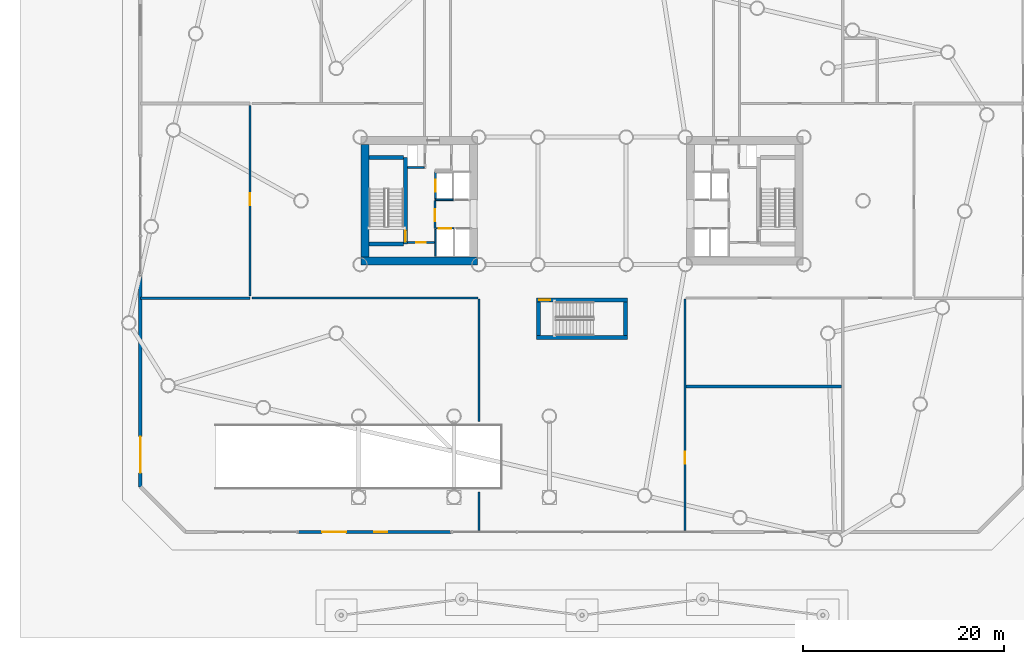
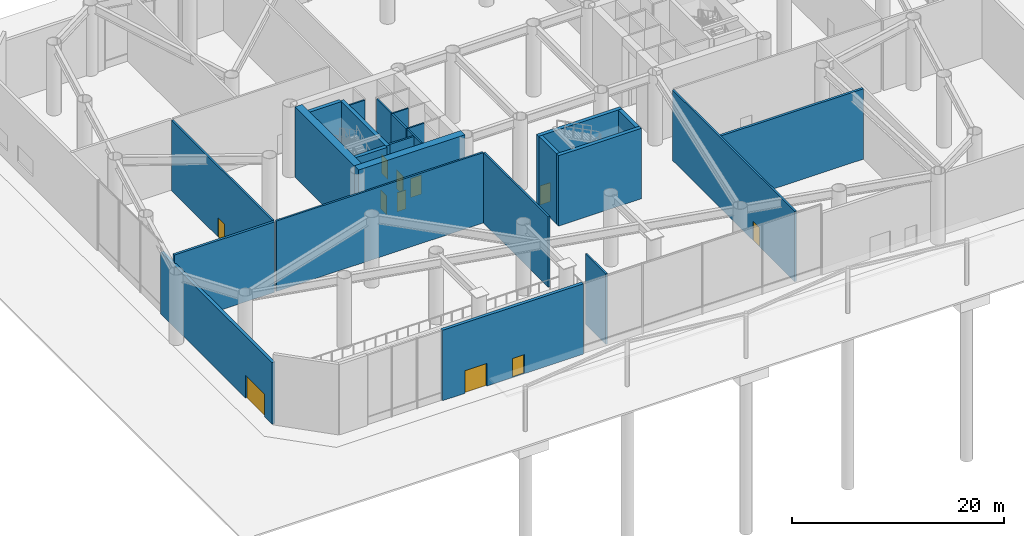
# One storey, part 20 of 28: 25 walls, 11 doors, 11 openings.
"""IFC4 building model written with IfcOpenShell, lengths in metres."""

from ifc_helpers import new_model, si_unit, direction, frame, frame_2d, origin, place, context, subcontext, project, spatial, rectangle, extrude, material, layer, layer_set, type_object, element, fill, save


model = new_model("IFC4")

# Units and contexts
model_context = context("Model", 3, precision=1e-05, world=origin(), true_north=direction((0.0, 1.0)))
body_context = subcontext(model_context, "Body", "Model", "MODEL_VIEW")
ifc_project = project(units=[si_unit("LENGTHUNIT", "METRE"), si_unit("AREAUNIT", "SQUARE_METRE"), si_unit("VOLUMEUNIT", "CUBIC_METRE"), si_unit("PLANEANGLEUNIT", "RADIAN"), si_unit("MASSUNIT", "GRAM", prefix="KILO")], contexts=[model_context])

# Site, building, storey
site_placement = place(None, origin())
site = spatial("IfcSite", under=ifc_project, at=site_placement, CompositionType="ELEMENT")
building_placement = place(site_placement, origin())
building = spatial("IfcBuilding", under=site, at=building_placement, Name="Tavrogorsk Clinical Tower", CompositionType="ELEMENT")
storey_placement = place(building_placement, origin())
storey = spatial("IfcBuildingStorey", under=building, at=storey_placement, Name="L00", CompositionType="ELEMENT", Elevation=0.0)

# Wall, opening, door
ifc_material_1 = material(Name="Concrete B60", Category="concrete")
ifc_layer_1 = layer(ifc_material_1, 0.199951171875)
ifc_layer_set_1 = layer_set([ifc_layer_1], Name="Concrete B60")
wall_type_1 = type_object("IfcWallType", Name="CoreFireWall_200", PredefinedType="SOLIDWALL", material=ifc_layer_set_1)
wall_1_placement = place(storey_placement, frame((-17.3798828125, -4.139892578125, 0.0), z_axis=(0.0, 0.0, 1.0), x_axis=(1.0, 0.0, 0.0)))
wall_1 = element("IfcWall", 1, at=wall_1_placement, inside=storey, type_object=wall_type_1, Name="L00 Core West South Core Room Fire Wall", PredefinedType="SOLIDWALL", context=body_context, shape_type="SweptSolid", body=[
    extrude(rectangle(XDim=2.659912109375, YDim=0.199951171875, at=frame_2d((1.330078125, 0.0))), origin(), (0.0, 0.0, 1.0), 8.10009765625),
])
opening_1_placement = place(wall_1_placement, frame((0.8798828125, 0.0, 0.0)))
opening_1 = element("IfcOpeningElement", 2, at=opening_1_placement, cuts=wall_1, Name="Opening ID-02", PredefinedType="OPENING", context=body_context, shape_type="SweptSolid", body=[
    extrude(rectangle(XDim=0.949951171875, YDim=2.199951171875, at=frame_2d((0.47509765625, 1.10009765625))), frame((0.0, 0.10986328125, 0.0), z_axis=(0.0, -1.0, 0.0), x_axis=(1.0, 0.0, 0.0)), (0.0, 0.0, 1.0), 0.219970703125),
])
ifc_material_2 = material(Name="Laminated timber leaf on aluminium frame", Category="wood")
door_type_1 = type_object("IfcDoorType", Name="InteriorDoor_ID02_950", OperationType="NOTDEFINED", PredefinedType="DOOR", material=ifc_material_2)
door_1_placement = place(opening_1_placement, origin())
door_1 = element("IfcDoor", 3, at=door_1_placement, inside=storey, type_object=door_type_1, Name="L00 Core West South Core Room Door", OperationType="SINGLE_SWING_RIGHT", OverallHeight=2.199951171875, OverallWidth=0.949951171875, PredefinedType="DOOR", context=body_context, shape_type="SweptSolid", body=[
    extrude(rectangle(XDim=0.949951171875, YDim=2.199951171875, at=frame_2d((0.47509765625, 1.10009765625))), frame((0.0, 0.02490234375, 0.0), z_axis=(0.0, -1.0, 0.0), x_axis=(1.0, 0.0, 0.0)), (0.0, 0.0, 1.0), 0.050048828125),
])
fill(opening_1, door_1)

wall_2_placement = place(storey_placement, frame((-14.639892578125, -2.780029296875, 0.0), z_axis=(0.0, 0.0, 1.0), x_axis=(0.0, 1.0, 0.0)))
wall_2 = element("IfcWall", 4, at=wall_2_placement, inside=storey, type_object=wall_type_1, Name="L00 Core West Firefighting Lobby Fire Wall", PredefinedType="SOLIDWALL", context=body_context, shape_type="SweptSolid", body=[
    extrude(rectangle(XDim=2.820068359375, YDim=0.199951171875, at=frame_2d((1.41015625, 0.0))), origin(), (0.0, 0.0, 1.0), 8.10009765625),
])
opening_2_placement = place(wall_2_placement, frame((0.72998046875, 0.0, 0.0)))
opening_2 = element("IfcOpeningElement", 5, at=opening_2_placement, cuts=wall_2, Name="Opening FD-01", PredefinedType="OPENING", context=body_context, shape_type="SweptSolid", body=[
    extrude(rectangle(XDim=1.199951171875, YDim=2.199951171875, at=frame_2d((0.60009765625, 1.10009765625))), frame((0.0, 0.10986328125, 0.0), z_axis=(0.0, -1.0, 0.0), x_axis=(1.0, 0.0, 0.0)), (0.0, 0.0, 1.0), 0.219970703125),
])
ifc_material_3 = material(Name="Galvanised steel fire-rated door assembly", Category="steel")
door_type_2 = type_object("IfcDoorType", Name="FireDoor_FD01_1200", OperationType="NOTDEFINED", PredefinedType="DOOR", material=ifc_material_3)
door_2_placement = place(opening_2_placement, origin())
door_2 = element("IfcDoor", 6, at=door_2_placement, inside=storey, type_object=door_type_2, Name="L00 Core West Firefighting Lobby Entry Door", OperationType="SINGLE_SWING_RIGHT", OverallHeight=2.199951171875, OverallWidth=1.199951171875, PredefinedType="DOOR", context=body_context, shape_type="SweptSolid", body=[
    extrude(rectangle(XDim=1.199951171875, YDim=2.199951171875, at=frame_2d((0.60009765625, 1.10009765625))), frame((0.0, 0.02490234375, 0.0), z_axis=(0.0, -1.0, 0.0), x_axis=(1.0, 0.0, 0.0)), (0.0, 0.0, 1.0), 0.050048828125),
])
fill(opening_2, door_2)

# Walls
wall_3_placement = place(storey_placement, frame((-10.280029296875, -22.0, 0.0), z_axis=(0.0, 0.0, 1.0), x_axis=(0.0, 1.0, 0.0)))
element("IfcWall", 7, at=wall_3_placement, inside=storey, type_object=wall_type_1, Name="L00 Concourse Fire Wall 01", PredefinedType="SOLIDWALL", context=body_context, shape_type="SweptSolid", body=[
    extrude(rectangle(XDim=12.195068359375, YDim=0.199951171875, at=frame_2d((6.09765625, 0.0))), origin(), (0.0, 0.0, 1.0), 8.10009765625),
])
wall_4_placement = place(storey_placement, frame((-10.385009765625, -9.699951171875, 0.0), z_axis=(0.0, 0.0, 1.0), x_axis=(-1.0, 0.0, 0.0)))
element("IfcWall", 8, at=wall_4_placement, inside=storey, type_object=wall_type_1, Name="L00 Concourse Fire Wall 02", PredefinedType="SOLIDWALL", context=body_context, shape_type="SweptSolid", body=[
    extrude(rectangle(XDim=22.510009765625, YDim=0.199951171875, at=frame_2d((11.2548828125, 0.0))), origin(), (0.0, 0.0, 1.0), 8.10009765625),
])

# Wall, opening, door
wall_5_placement = place(storey_placement, frame((-33.080078125, -9.485107421875, 0.0), z_axis=(0.0, 0.0, 1.0), x_axis=(0.0, 1.0, 0.0)))
wall_5 = element("IfcWall", 9, at=wall_5_placement, inside=storey, type_object=wall_type_1, Name="L00 Concourse Fire Wall 03", PredefinedType="SOLIDWALL", context=body_context, shape_type="SweptSolid", body=[
    extrude(rectangle(XDim=18.97021484375, YDim=0.199951171875, at=frame_2d((9.485107421875, 0.0))), origin(), (0.0, 0.0, 1.0), 8.10009765625),
])
opening_3_placement = place(wall_5_placement, frame((9.02001953125, 0.0, 0.0)))
opening_3 = element("IfcOpeningElement", 10, at=opening_3_placement, cuts=wall_5, Name="Opening FD-01", PredefinedType="OPENING", context=body_context, shape_type="SweptSolid", body=[
    extrude(rectangle(XDim=1.199951171875, YDim=2.199951171875, at=frame_2d((0.60009765625, 1.10009765625))), frame((0.0, 0.10986328125, 0.0), z_axis=(0.0, -1.0, 0.0), x_axis=(1.0, 0.0, 0.0)), (0.0, 0.0, 1.0), 0.219970703125),
])
door_3_placement = place(opening_3_placement, origin())
door_3 = element("IfcDoor", 11, at=door_3_placement, inside=storey, type_object=door_type_2, Name="L00 Security Screening & Baggage Deposit Entry Door", OperationType="SINGLE_SWING_LEFT", OverallHeight=2.199951171875, OverallWidth=1.199951171875, PredefinedType="DOOR", context=body_context, shape_type="SweptSolid", body=[
    extrude(rectangle(XDim=1.199951171875, YDim=2.199951171875, at=frame_2d((0.60009765625, 1.10009765625))), frame((0.0, 0.02490234375, 0.0), z_axis=(0.0, -1.0, 0.0), x_axis=(1.0, 0.0, 0.0)), (0.0, 0.0, 1.0), 0.050048828125),
])
fill(opening_3, door_3)

wall_6_placement = place(storey_placement, frame((10.280029296875, -9.804931640625, 0.0), z_axis=(0.0, 0.0, 1.0), x_axis=(0.0, -1.0, 0.0)))
wall_6 = element("IfcWall", 12, at=wall_6_placement, inside=storey, type_object=wall_type_1, Name="L00 Concourse Fire Wall 08", PredefinedType="SOLIDWALL", context=body_context, shape_type="SweptSolid", body=[
    extrude(rectangle(XDim=23.03515625, YDim=0.199951171875, at=frame_2d((11.517578125, 0.0))), origin(), (0.0, 0.0, 1.0), 8.10009765625),
])
opening_4_placement = place(wall_6_placement, frame((15.189453125, 0.0, 0.0)))
opening_4 = element("IfcOpeningElement", 13, at=opening_4_placement, cuts=wall_6, Name="Opening FD-01", PredefinedType="OPENING", context=body_context, shape_type="SweptSolid", body=[
    extrude(rectangle(XDim=1.199951171875, YDim=2.199951171875, at=frame_2d((0.60009765625, 1.10009765625))), frame((0.0, 0.10986328125, 0.0), z_axis=(0.0, -1.0, 0.0), x_axis=(1.0, 0.0, 0.0)), (0.0, 0.0, 1.0), 0.219970703125),
])
door_4_placement = place(opening_4_placement, origin())
door_4 = element("IfcDoor", 14, at=door_4_placement, inside=storey, type_object=door_type_2, Name="L00 Outpatient Retail Pharmacy & Waiting Entry Door", OperationType="SINGLE_SWING_LEFT", OverallHeight=2.199951171875, OverallWidth=1.199951171875, PredefinedType="DOOR", context=body_context, shape_type="SweptSolid", body=[
    extrude(rectangle(XDim=1.199951171875, YDim=2.199951171875, at=frame_2d((0.60009765625, 1.10009765625))), frame((0.0, 0.02490234375, 0.0), z_axis=(0.0, -1.0, 0.0), x_axis=(1.0, 0.0, 0.0)), (0.0, 0.0, 1.0), 0.050048828125),
])
fill(opening_4, door_4)

# Wall
wall_7_placement = place(storey_placement, frame((-10.280029296875, -32.840087890625, 0.0), z_axis=(0.0, 0.0, 1.0), x_axis=(0.0, 1.0, 0.0)))
element("IfcWall", 15, at=wall_7_placement, inside=storey, type_object=wall_type_1, Name="L00 Concourse Fire Wall 09", PredefinedType="SOLIDWALL", context=body_context, shape_type="SweptSolid", body=[
    extrude(rectangle(XDim=3.840087890625, YDim=0.199951171875, at=frame_2d((1.919921875, 0.0))), origin(), (0.0, 0.0, 1.0), 8.10009765625),
])

# Wall, openings, doors
ifc_material_4 = material(Name="Precast concrete B45 with limestone cladding", Category="masonry")
ifc_layer_2 = layer(ifc_material_4, 0.340087890625)
ifc_layer_set_2 = layer_set([ifc_layer_2], Name="Precast concrete B45 with limestone cladding")
wall_type_2 = type_object("IfcWallType", Name="PrecastLimestoneWall_340", PredefinedType="STANDARD", material=ifc_layer_set_2)
wall_8_placement = place(storey_placement, frame((-28.300048828125, -33.0, 0.0), z_axis=(0.0, 0.0, 1.0), x_axis=(1.0, 0.0, 0.0)))
wall_8 = element("IfcWall", 16, at=wall_8_placement, inside=storey, type_object=wall_type_2, Name="L00 Limestone Lobby Wall 1-2", PredefinedType="STANDARD", context=body_context, shape_type="SweptSolid", body=[
    extrude(rectangle(XDim=15.300048828125, YDim=0.340087890625, at=frame_2d((7.64990234375, 0.0))), origin(), (0.0, 0.0, 1.0), 8.10009765625),
])
opening_5_placement = place(wall_8_placement, frame((2.39990234375, 0.0, 0.0)))
opening_5 = element("IfcOpeningElement", 17, at=opening_5_placement, cuts=wall_8, Name="Opening ED-01", PredefinedType="OPENING", context=body_context, shape_type="SweptSolid", body=[
    extrude(rectangle(XDim=2.39990234375, YDim=2.60009765625, at=frame_2d((1.199951171875, 1.300048828125))), frame((0.0, 0.179931640625, 0.0), z_axis=(0.0, -1.0, 0.0), x_axis=(1.0, 0.0, 0.0)), (0.0, 0.0, 1.0), 0.360107421875),
])
opening_6_placement = place(wall_8_placement, frame((7.60009765625, 0.0, 0.0)))
opening_6 = element("IfcOpeningElement", 18, at=opening_6_placement, cuts=wall_8, Name="Opening ED-04", PredefinedType="OPENING", context=body_context, shape_type="SweptSolid", body=[
    extrude(rectangle(XDim=1.300048828125, YDim=2.199951171875, at=frame_2d((0.64990234375, 1.10009765625))), frame((0.0, 0.179931640625, 0.0), z_axis=(0.0, -1.0, 0.0), x_axis=(1.0, 0.0, 0.0)), (0.0, 0.0, 1.0), 0.360107421875),
])
ifc_material_5 = material(Name="Thermally broken aluminium and laminated safety glass", Category="aluminium")
door_type_3 = type_object("IfcDoorType", Name="GroundExitDoor_ED04_1300", OperationType="NOTDEFINED", PredefinedType="DOOR", material=ifc_material_5)
door_5_placement = place(opening_6_placement, origin())
door_5 = element("IfcDoor", 19, at=door_5_placement, inside=storey, type_object=door_type_3, Name="L00 South-West Final Exit Discharge Door", OperationType="SINGLE_SWING_LEFT", OverallHeight=2.199951171875, OverallWidth=1.300048828125, PredefinedType="DOOR", context=body_context, shape_type="SweptSolid", body=[
    extrude(rectangle(XDim=1.300048828125, YDim=2.199951171875, at=frame_2d((0.64990234375, 1.10009765625))), frame((0.0, 0.02490234375, 0.0), z_axis=(0.0, -1.0, 0.0), x_axis=(1.0, 0.0, 0.0)), (0.0, 0.0, 1.0), 0.050048828125),
])
fill(opening_6, door_5)
ifc_material_6 = material(Name="Thermally broken aluminium and laminated safety glass", Category="aluminium")
door_type_4 = type_object("IfcDoorType", Name="MainEntranceDoor_ED01_2400", OperationType="DOUBLE_SWING_LEFT", PredefinedType="DOOR", material=ifc_material_6)
door_6_placement = place(opening_5_placement, origin())
door_6 = element("IfcDoor", 20, at=door_6_placement, inside=storey, type_object=door_type_4, Name="L00 South-West Main Entrance Door", OperationType="DOUBLE_SWING_LEFT", OverallHeight=2.60009765625, OverallWidth=2.39990234375, PredefinedType="DOOR", context=body_context, shape_type="SweptSolid", body=[
    extrude(rectangle(XDim=2.39990234375, YDim=2.60009765625, at=frame_2d((1.199951171875, 1.300048828125))), frame((0.0, 0.02490234375, 0.0), z_axis=(0.0, -1.0, 0.0), x_axis=(1.0, 0.0, 0.0)), (0.0, 0.0, 1.0), 0.050048828125),
])
fill(opening_5, door_6)

# Wall, opening, door
wall_9_placement = place(storey_placement, frame((-44.0, -7.5, 0.0), z_axis=(0.0, 0.0, 1.0), x_axis=(0.0, -1.0, 0.0)))
wall_9 = element("IfcWall", 21, at=wall_9_placement, inside=storey, type_object=wall_type_2, Name="L00 Limestone Lobby Wall 7-2", PredefinedType="STANDARD", context=body_context, shape_type="SweptSolid", body=[
    extrude(rectangle(XDim=21.0, YDim=0.340087890625, at=frame_2d((10.5, 0.0))), origin(), (0.0, 0.0, 1.0), 7.094970703125),
])
opening_7_placement = place(wall_9_placement, frame((16.0, 0.0, 0.0)))
opening_7 = element("IfcOpeningElement", 22, at=opening_7_placement, cuts=wall_9, Name="Opening VD-01", PredefinedType="OPENING", context=body_context, shape_type="SweptSolid", body=[
    extrude(rectangle(XDim=3.60009765625, YDim=2.60009765625, at=frame_2d((1.800048828125, 1.300048828125))), frame((0.0, 0.179931640625, 0.0), z_axis=(0.0, -1.0, 0.0), x_axis=(1.0, 0.0, 0.0)), (0.0, 0.0, 1.0), 0.360107421875),
])
ifc_material_7 = material(Name="Insulated galvanised steel fire-rated roller shutter", Category="steel")
door_type_5 = type_object("IfcDoorType", Name="VehicleGateDoor_VD01_3600", OperationType="ROLLINGUP", PredefinedType="GATE", material=ifc_material_7)
door_7_placement = place(opening_7_placement, origin())
door_7 = element("IfcDoor", 23, at=door_7_placement, inside=storey, type_object=door_type_5, Name="L00 Vehicle Ramp Entrance Roller-Shutter Gate", OperationType="ROLLINGUP", OverallHeight=2.60009765625, OverallWidth=3.60009765625, PredefinedType="GATE", context=body_context, shape_type="SweptSolid", body=[
    extrude(rectangle(XDim=3.60009765625, YDim=2.60009765625, at=frame_2d((1.800048828125, 1.300048828125))), frame((0.0, 0.02490234375, 0.0), z_axis=(0.0, -1.0, 0.0), x_axis=(1.0, 0.0, 0.0)), (0.0, 0.0, 1.0), 0.050048828125),
])
fill(opening_7, door_7)

# Walls
ifc_material_8 = material(Name="Concrete B60 radiation-shielded wall", Category="concrete")
ifc_layer_3 = layer(ifc_material_8, 0.260009765625)
ifc_layer_set_3 = layer_set([ifc_layer_3], Name="Concrete B60 radiation-shielded wall")
wall_type_3 = type_object("IfcWallType", Name="RadiationLeadWall_260", PredefinedType="SOLIDWALL", material=ifc_layer_set_3)
wall_10_placement = place(storey_placement, frame((-44.0, -9.699951171875, 0.0), z_axis=(0.0, 0.0, 1.0), x_axis=(1.0, 0.0, 0.0)))
element("IfcWall", 24, at=wall_10_placement, inside=storey, type_object=wall_type_3, Name="L00 Ground Partition Wall 1", PredefinedType="SOLIDWALL", context=body_context, shape_type="SweptSolid", body=[
    extrude(rectangle(XDim=10.89501953125, YDim=0.260009765625, at=frame_2d((5.447509765625, 0.0))), origin(), (0.0, 0.0, 1.0), 8.10009765625),
])
wall_11_placement = place(storey_placement, frame((10.385009765625, -18.5, 0.0), z_axis=(0.0, 0.0, 1.0), x_axis=(1.0, 0.0, 0.0)))
element("IfcWall", 25, at=wall_11_placement, inside=storey, type_object=wall_type_3, Name="L00 Ground Partition Wall 5", PredefinedType="SOLIDWALL", context=body_context, shape_type="SweptSolid", body=[
    extrude(rectangle(XDim=15.47998046875, YDim=0.260009765625, at=frame_2d((7.739990234375, 0.0))), origin(), (0.0, 0.0, 1.0), 8.10009765625),
])

# Wall, opening, door
ifc_material_9 = material(Name="Lightweight concrete blockwork B25", Category="masonry")
ifc_layer_4 = layer(ifc_material_9, 0.159912109375)
ifc_layer_set_4 = layer_set([ifc_layer_4], Name="Lightweight concrete blockwork B25")
wall_type_4 = type_object("IfcWallType", Name="ShaftWall_160", PredefinedType="PARTITIONING", material=ifc_layer_set_4)
wall_12_placement = place(storey_placement, frame((-14.60009765625, 0.1201171875, 0.0), z_axis=(0.0, 0.0, 1.0), x_axis=(0.0, 1.0, 0.0)))
wall_12 = element("IfcWall", 26, at=wall_12_placement, inside=storey, type_object=wall_type_4, Name="L00 FFL-W Firefighting Lift Front Wall", PredefinedType="PARTITIONING", context=body_context, shape_type="SweptSolid", body=[
    extrude(rectangle(XDim=2.739990234375, YDim=0.159912109375, at=frame_2d((1.3701171875, 0.0))), origin(), (0.0, 0.0, 1.0), 8.10009765625),
])
opening_8_placement = place(wall_12_placement, frame((0.77001953125, 0.0, 0.0)))
opening_8 = element("IfcOpeningElement", 27, at=opening_8_placement, cuts=wall_12, Name="Opening LD", PredefinedType="OPENING", context=body_context, shape_type="SweptSolid", body=[
    extrude(rectangle(XDim=1.199951171875, YDim=2.199951171875, at=frame_2d((0.60009765625, 1.10009765625))), frame((0.0, 0.08984375, 0.0), z_axis=(0.0, -1.0, 0.0), x_axis=(1.0, 0.0, 0.0)), (0.0, 0.0, 1.0), 0.179931640625),
])
ifc_material_10 = material(Name="Brushed stainless steel AISI 304 sliding doors", Category="steel")
door_type_6 = type_object("IfcDoorType", Name="LiftLandingDoor_LD_1200", OperationType="SLIDING_TO_LEFT", PredefinedType="DOOR", material=ifc_material_10)
door_8_placement = place(opening_8_placement, origin())
door_8 = element("IfcDoor", 28, at=door_8_placement, inside=storey, type_object=door_type_6, Name="L00 FFL-W Sliding Lift Landing Door", OperationType="SLIDING_TO_LEFT", OverallHeight=2.199951171875, OverallWidth=1.199951171875, PredefinedType="DOOR", context=body_context, shape_type="SweptSolid", body=[
    extrude(rectangle(XDim=1.199951171875, YDim=2.199951171875, at=frame_2d((0.60009765625, 1.10009765625))), frame((0.0, 0.02490234375, 0.0), z_axis=(0.0, -1.0, 0.0), x_axis=(1.0, 0.0, 0.0)), (0.0, 0.0, 1.0), 0.050048828125),
])
fill(opening_8, door_8)

# Wall
wall_13_placement = place(storey_placement, frame((-14.60009765625, 0.10009765625, 0.0), z_axis=(0.0, 0.0, 1.0), x_axis=(1.0, 0.0, 0.0)))
element("IfcWall", 29, at=wall_13_placement, inside=storey, type_object=wall_type_4, Name="L00 FFL-W Shaft South Wall", PredefinedType="PARTITIONING", context=body_context, shape_type="SweptSolid", body=[
    extrude(rectangle(XDim=1.760009765625, YDim=0.159912109375, at=frame_2d((0.8798828125, 0.0))), origin(), (0.0, 0.0, 1.0), 8.10009765625),
])

# Wall, opening, door
wall_14_placement = place(storey_placement, frame((-14.530029296875, -2.75, 0.0), z_axis=(0.0, 0.0, 1.0), x_axis=(1.0, 0.0, 0.0)))
wall_14 = element("IfcWall", 30, at=wall_14_placement, inside=storey, type_object=wall_type_4, Name="L00 LP-L1 Lift Shaft Portal Wall", PredefinedType="PARTITIONING", context=body_context, shape_type="SweptSolid", body=[
    extrude(rectangle(XDim=1.760009765625, YDim=0.159912109375, at=frame_2d((0.8798828125, 0.0))), origin(), (0.0, 0.0, 1.0), 8.10009765625),
])
opening_9_placement = place(wall_14_placement, frame((0.280029296875, 0.0, 0.0)))
opening_9 = element("IfcOpeningElement", 31, at=opening_9_placement, cuts=wall_14, Name="Opening LD", PredefinedType="OPENING", context=body_context, shape_type="SweptSolid", body=[
    extrude(rectangle(XDim=1.199951171875, YDim=2.199951171875, at=frame_2d((0.60009765625, 1.10009765625))), frame((0.0, 0.08984375, 0.0), z_axis=(0.0, -1.0, 0.0), x_axis=(1.0, 0.0, 0.0)), (0.0, 0.0, 1.0), 0.179931640625),
])
door_9_placement = place(opening_9_placement, origin())
door_9 = element("IfcDoor", 32, at=door_9_placement, inside=storey, type_object=door_type_6, Name="L00 LP-L1 Sliding Lift Landing Door", OperationType="SLIDING_TO_LEFT", OverallHeight=2.199951171875, OverallWidth=1.199951171875, PredefinedType="DOOR", context=body_context, shape_type="SweptSolid", body=[
    extrude(rectangle(XDim=1.199951171875, YDim=2.199951171875, at=frame_2d((0.60009765625, 1.10009765625))), frame((0.0, 0.02490234375, 0.0), z_axis=(0.0, -1.0, 0.0), x_axis=(1.0, 0.0, 0.0)), (0.0, 0.0, 1.0), 0.050048828125),
])
fill(opening_9, door_9)

# Walls
wall_15_placement = place(storey_placement, frame((-14.610107421875, -5.5400390625, 0.0), z_axis=(0.0, 0.0, 1.0), x_axis=(0.0, 1.0, 0.0)))
element("IfcWall", 33, at=wall_15_placement, inside=storey, type_object=wall_type_4, Name="L00 LP-L1 Lift Hoistway Outer Cheek Wall", PredefinedType="PARTITIONING", context=body_context, shape_type="SweptSolid", body=[
    extrude(rectangle(XDim=2.699951171875, YDim=0.159912109375, at=frame_2d((1.35009765625, 0.0))), origin(), (0.0, 0.0, 1.0), 8.10009765625),
])
wall_16_placement = place(storey_placement, frame((-17.3798828125, 3.320068359375, 0.0), z_axis=(0.0, 0.0, 1.0), x_axis=(1.0, 0.0, 0.0)))
element("IfcWall", 34, at=wall_16_placement, inside=storey, type_object=wall_type_4, Name="L00 Core West Riser South Wall", PredefinedType="PARTITIONING", context=body_context, shape_type="SweptSolid", body=[
    extrude(rectangle(XDim=1.65478515625, YDim=0.159912109375, at=frame_2d((0.827392578125, 0.0))), origin(), (0.0, 0.0, 1.0), 8.10009765625),
])

# Wall, opening, door
ifc_material_11 = material(Name="Concrete B80", Category="concrete")
ifc_layer_5 = layer(ifc_material_11, 0.39990234375)
ifc_layer_set_5 = layer_set([ifc_layer_5], Name="Concrete B80")
wall_type_5 = type_object("IfcWallType", Name="ShearWall_400", PredefinedType="SHEAR", material=ifc_layer_set_5)
wall_17_placement = place(storey_placement, frame((-17.60009765625, -4.324951171875, 0.0), z_axis=(0.0, 0.0, 1.0), x_axis=(0.0, 1.0, 0.0)))
wall_17 = element("IfcWall", 35, at=wall_17_placement, inside=storey, type_object=wall_type_5, Name="L00 Core West Stair Shaft Inner Shear Wall", PredefinedType="SHEAR", context=body_context, shape_type="SweptSolid", body=[
    extrude(rectangle(XDim=8.64990234375, YDim=0.39990234375, at=frame_2d((4.324951171875, 0.0))), origin(), (0.0, 0.0, 1.0), 8.10009765625),
])
opening_10_placement = place(wall_17_placement, frame((0.25, 0.0, 0.0)))
opening_10 = element("IfcOpeningElement", 36, at=opening_10_placement, cuts=wall_17, Name="Opening SD-01", PredefinedType="OPENING", context=body_context, shape_type="SweptSolid", body=[
    extrude(rectangle(XDim=1.10009765625, YDim=2.199951171875, at=frame_2d((0.550048828125, 1.10009765625))), frame((0.0, 0.2099609375, 0.0), z_axis=(0.0, -1.0, 0.0), x_axis=(1.0, 0.0, 0.0)), (0.0, 0.0, 1.0), 0.419921875),
])
ifc_material_12 = material(Name="Galvanised steel smoke-tight fire door assembly", Category="steel")
door_type_7 = type_object("IfcDoorType", Name="StairFireDoor_SD01_1100", OperationType="NOTDEFINED", PredefinedType="DOOR", material=ifc_material_12)
door_10_placement = place(opening_10_placement, origin())
door_10 = element("IfcDoor", 37, at=door_10_placement, inside=storey, type_object=door_type_7, Name="L00 ST-W Exit Stair Door", OperationType="SINGLE_SWING_LEFT", OverallHeight=2.199951171875, OverallWidth=1.10009765625, PredefinedType="DOOR", context=body_context, shape_type="SweptSolid", body=[
    extrude(rectangle(XDim=1.10009765625, YDim=2.199951171875, at=frame_2d((0.550048828125, 1.10009765625))), frame((0.0, 0.02490234375, 0.0), z_axis=(0.0, -1.0, 0.0), x_axis=(1.0, 0.0, 0.0)), (0.0, 0.0, 1.0), 0.050048828125),
])
fill(opening_10, door_10)

# Walls
for number, where, z_axis, x_axis, name in (
    (38, (-21.199951171875, -4.324951171875, 0.0), (0.0, 0.0, 1.0), (1.0, 0.0, 0.0), "L00 Core West Stair Shaft South Shear Wall"),
    (39, (-21.199951171875, 4.324951171875, 0.0), (0.0, 0.0, 1.0), (1.0, 0.0, 0.0), "L00 Core West Stair Shaft North Shear Wall"),
):
    element("IfcWall", number, at=place(storey_placement, frame(where, z_axis=z_axis, x_axis=x_axis)), inside=storey, type_object=wall_type_5, Name=name, PredefinedType="SHEAR", context=body_context, shape_type="SweptSolid", body=[
        extrude(rectangle(XDim=3.39990234375, YDim=0.39990234375, at=frame_2d((1.699951171875, 0.0))), origin(), (0.0, 0.0, 1.0), 8.10009765625),
    ])
wall_18_placement = place(storey_placement, frame((-4.52490234375, -13.60009765625, 0.0), z_axis=(0.0, 0.0, 1.0), x_axis=(1.0, 0.0, 0.0)))
element("IfcWall", 40, at=wall_18_placement, inside=storey, type_object=wall_type_5, Name="L00 Podium Stair South Shaft Wall", PredefinedType="SHEAR", context=body_context, shape_type="SweptSolid", body=[
    extrude(rectangle(XDim=9.0498046875, YDim=0.39990234375, at=frame_2d((4.52490234375, 0.0))), origin(), (0.0, 0.0, 1.0), 8.10009765625),
])

# Wall, opening, door
wall_19_placement = place(storey_placement, frame((-4.52490234375, -9.89990234375, 0.0), z_axis=(0.0, 0.0, 1.0), x_axis=(1.0, 0.0, 0.0)))
wall_19 = element("IfcWall", 41, at=wall_19_placement, inside=storey, type_object=wall_type_5, Name="L00 Podium Stair North Shaft Wall", PredefinedType="SHEAR", context=body_context, shape_type="SweptSolid", body=[
    extrude(rectangle(XDim=9.0498046875, YDim=0.39990234375, at=frame_2d((4.52490234375, 0.0))), origin(), (0.0, 0.0, 1.0), 8.10009765625),
])
opening_11_placement = place(wall_19_placement, frame((0.25, 0.0, 0.0)))
opening_11 = element("IfcOpeningElement", 42, at=opening_11_placement, cuts=wall_19, Name="Opening SD-01", PredefinedType="OPENING", context=body_context, shape_type="SweptSolid", body=[
    extrude(rectangle(XDim=1.10009765625, YDim=2.199951171875, at=frame_2d((0.550048828125, 1.10009765625))), frame((0.0, 0.2099609375, 0.0), z_axis=(0.0, -1.0, 0.0), x_axis=(1.0, 0.0, 0.0)), (0.0, 0.0, 1.0), 0.419921875),
])
door_11_placement = place(opening_11_placement, origin())
door_11 = element("IfcDoor", 43, at=door_11_placement, inside=storey, type_object=door_type_7, Name="L00 ST-P Podium Stair Door", OperationType="SINGLE_SWING_LEFT", OverallHeight=2.199951171875, OverallWidth=1.10009765625, PredefinedType="DOOR", context=body_context, shape_type="SweptSolid", body=[
    extrude(rectangle(XDim=1.10009765625, YDim=2.199951171875, at=frame_2d((0.550048828125, 1.10009765625))), frame((0.0, 0.02490234375, 0.0), z_axis=(0.0, -1.0, 0.0), x_axis=(1.0, 0.0, 0.0)), (0.0, 0.0, 1.0), 0.050048828125),
])
fill(opening_11, door_11)

# Walls
for number, where, z_axis, x_axis, name in (
    (44, (-4.324951171875, -13.39990234375, 0.0), (0.0, 0.0, 1.0), (0.0, 1.0, 0.0), "L00 Podium Stair West Shaft Wall"),
    (45, (4.324951171875, -13.39990234375, 0.0), (0.0, 0.0, 1.0), (0.0, 1.0, 0.0), "L00 Podium Stair East Shaft Wall"),
):
    element("IfcWall", number, at=place(storey_placement, frame(where, z_axis=z_axis, x_axis=x_axis)), inside=storey, type_object=wall_type_5, Name=name, PredefinedType="SHEAR", context=body_context, shape_type="SweptSolid", body=[
        extrude(rectangle(XDim=3.2998046875, YDim=0.39990234375, at=frame_2d((1.64990234375, 0.0))), origin(), (0.0, 0.0, 1.0), 8.10009765625),
    ])
ifc_material_13 = material(Name="Concrete B80", Category="concrete")
ifc_layer_6 = layer(ifc_material_13, 0.800048828125)
ifc_layer_set_6 = layer_set([ifc_layer_6], Name="Concrete B80")
wall_type_6 = type_object("IfcWallType", Name="ShearWall_800", PredefinedType="SHEAR", material=ifc_layer_set_6)
wall_20_placement = place(storey_placement, frame((-22.0, -6.0, 0.0), z_axis=(0.0, 0.0, 1.0), x_axis=(1.0, 0.0, 0.0)))
element("IfcWall", 46, at=wall_20_placement, inside=storey, type_object=wall_type_6, Name="L00 Core West South Shear Wall", PredefinedType="SHEAR", context=body_context, shape_type="SweptSolid", body=[
    extrude(rectangle(XDim=11.60009765625, YDim=0.800048828125, at=frame_2d((5.800048828125, 0.0))), origin(), (0.0, 0.0, 1.0), 8.10009765625),
])
wall_21_placement = place(storey_placement, frame((-21.60009765625, -5.60009765625, 0.0), z_axis=(0.0, 0.0, 1.0), x_axis=(0.0, 1.0, 0.0)))
element("IfcWall", 47, at=wall_21_placement, inside=storey, type_object=wall_type_6, Name="L00 Core West End Shear Wall", PredefinedType="SHEAR", context=body_context, shape_type="SweptSolid", body=[
    extrude(rectangle(XDim=11.2001953125, YDim=0.800048828125, at=frame_2d((5.60009765625, 0.0))), origin(), (0.0, 0.0, 1.0), 8.10009765625),
])

save(model, "model.ifc")
